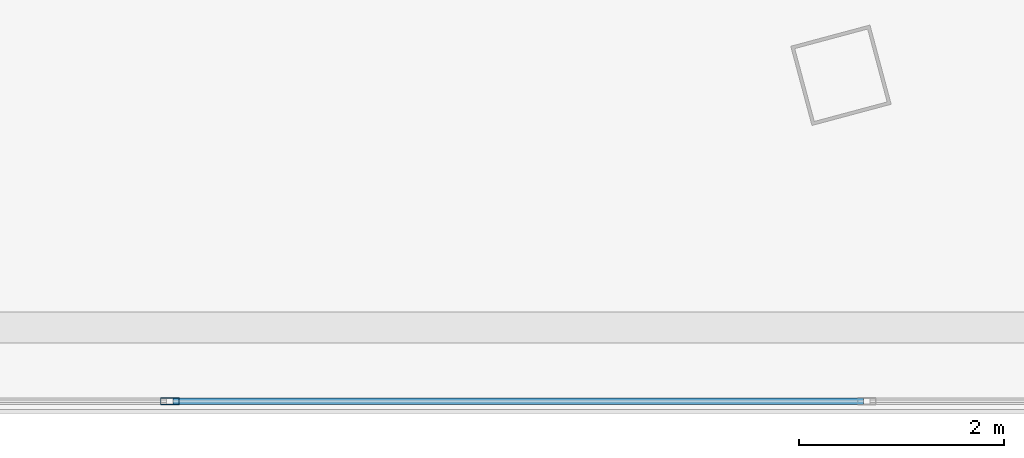
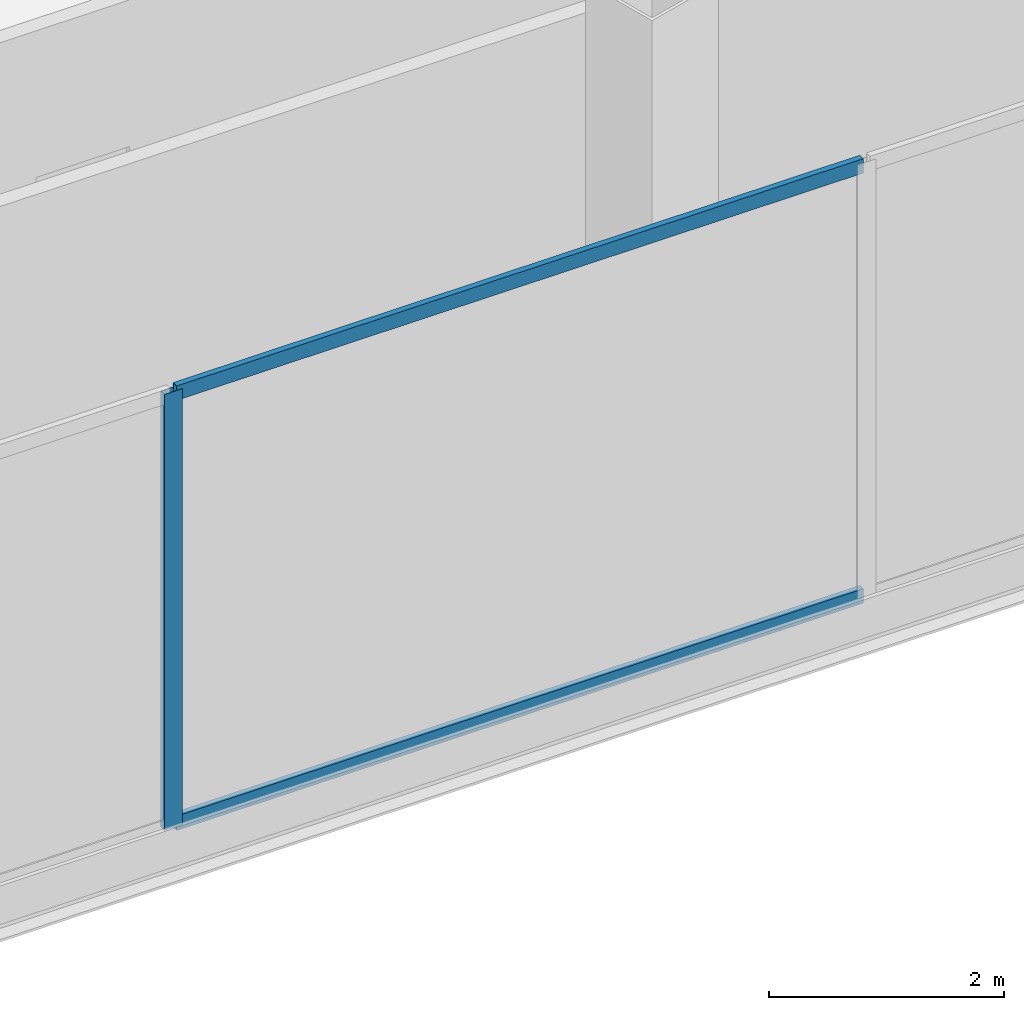
# One storey, part 9 of 40: 3 members, 1 element without a shape of its own.
"""IFC4 building model written with IfcOpenShell, lengths in metres."""

from ifc_helpers import new_model, si_unit, direction, frame, origin, origin_2d, place, context, subcontext, project, spatial, hollow_rectangle, extrude, source, transform, mapped, material, layer, layer_set, material_profile, profile_set, type_object, element, aggregate, save


model = new_model("IFC4")

# Units and contexts
model_context = context("Model", 3, precision=1e-05, world=origin(), true_north=direction((0.0, 1.0)))
body_context = subcontext(model_context, "Body", "Model", "MODEL_VIEW")
ifc_project = project(units=[si_unit("LENGTHUNIT", "METRE"), si_unit("AREAUNIT", "SQUARE_METRE"), si_unit("VOLUMEUNIT", "CUBIC_METRE"), si_unit("PLANEANGLEUNIT", "RADIAN"), si_unit("MASSUNIT", "GRAM", prefix="KILO"), si_unit("THERMODYNAMICTEMPERATUREUNIT", "KELVIN"), si_unit("POWERUNIT", "WATT")], contexts=[model_context])

# Site, building, storey
site_placement = place(None, origin())
site = spatial("IfcSite", under=ifc_project, at=site_placement, CompositionType="ELEMENT")
building_placement = place(site_placement, origin())
building = spatial("IfcBuilding", under=site, at=building_placement, Name="Yunzhuo Pagoda Commons", CompositionType="ELEMENT")
storey_placement = place(building_placement, frame((0.0, 0.0, 14.39990234375)))
storey = spatial("IfcBuildingStorey", under=building, at=storey_placement, Name="L04", CompositionType="ELEMENT", Elevation=14.39990234375)

# Curtain wall, members
ifc_material = material(Name="Anodized aluminium 6063-T6", Category="aluminium")
ifc_layer = layer(ifc_material, 0.179931640625)
ifc_layer_set = layer_set([ifc_layer], Name="Anodized aluminium 6063-T6")
curtain_wall_type = type_object("IfcCurtainWallType", Name="CW-POD Waterfront Podium Curtain Wall", PredefinedType="NOTDEFINED", material=ifc_layer_set)
curtain_wall_placement = place(storey_placement, origin())
curtain_wall = element("IfcCurtainWall", 1, at=curtain_wall_placement, inside=storey, type_object=curtain_wall_type, Name="L04 curtain wall CW-L04-S3", PredefinedType="NOTDEFINED")
ifc_material_profile_1 = material_profile(ifc_material, hollow_rectangle(XDim=0.06494140625, YDim=0.179931640625, WallThickness=0.00390625, at=origin_2d()), Name="Anodized aluminium 6063-T6")
ifc_profile_set_1 = profile_set([ifc_material_profile_1], Name="Anodized aluminium 6063-T6")
member_type_1 = type_object("IfcMemberType", Name="CW-POD-M Mullion RHS 180x65x4", PredefinedType="MULLION", material=ifc_profile_set_1)
shared_shape_1 = source(origin(), body_context, "Body", "SweptSolid", [
    extrude(hollow_rectangle(XDim=0.06494140625, YDim=0.179931640625, WallThickness=0.00390625, at=origin_2d()), origin(), (0.0, 0.0, 1.0), 4.52001953125),
])
member_1_placement = place(storey_placement, frame((48.0, 6.080078125, 0.0), z_axis=(0.0, 0.0, 1.0), x_axis=(0.0, 1.0, 0.0)))
member_1 = element("IfcMember", 2, at=member_1_placement, type_object=member_type_1, Name="CW mullion 3", PredefinedType="MULLION", context=body_context, shape_type="MappedRepresentation", body=[
    mapped(shared_shape_1, transform((0.0, 0.0, 0.0), scale=1.0)),
])
ifc_material_profile_2 = material_profile(ifc_material, hollow_rectangle(XDim=0.06005859375, YDim=0.14990234375, WallThickness=0.00390625, at=origin_2d()), Name="Anodized aluminium 6063-T6")
ifc_profile_set_2 = profile_set([ifc_material_profile_2], Name="Anodized aluminium 6063-T6")
member_type_2 = type_object("IfcMemberType", Name="CW-POD-T Transom RHS 150x60x4", PredefinedType="USERDEFINED", material=ifc_profile_set_2)
shared_shape_2 = source(origin(), body_context, "Body", "SweptSolid", [
    extrude(hollow_rectangle(XDim=0.06005859375, YDim=0.14990234375, WallThickness=0.00390625, at=origin_2d()), origin(), (0.0, 0.0, 1.0), 6.735107421875),
])
member_2_placement = place(storey_placement, frame((48.032470703125, 6.080078125, 0.030029296875), z_axis=(1.0, 0.0, 0.0), x_axis=(0.0, 1.0, 0.0)))
member_2 = element("IfcMember", 3, at=member_2_placement, type_object=member_type_2, Name="CW transom 3.1", ObjectType="TRANSOM", PredefinedType="USERDEFINED", context=body_context, shape_type="MappedRepresentation", body=[
    mapped(shared_shape_2, transform((0.0, 0.0, 0.0), scale=1.0)),
])
member_3_placement = place(storey_placement, frame((48.032470703125, 6.080078125, 4.489990234375), z_axis=(1.0, 0.0, 0.0), x_axis=(0.0, 1.0, 0.0)))
member_3 = element("IfcMember", 4, at=member_3_placement, type_object=member_type_2, Name="CW transom 3.2", ObjectType="TRANSOM", PredefinedType="USERDEFINED", context=body_context, shape_type="MappedRepresentation", body=[
    mapped(shared_shape_2, transform((0.0, 0.0, 0.0), scale=1.0)),
])
aggregate(curtain_wall, [member_1, member_2, member_3])

save(model, "model.ifc")
